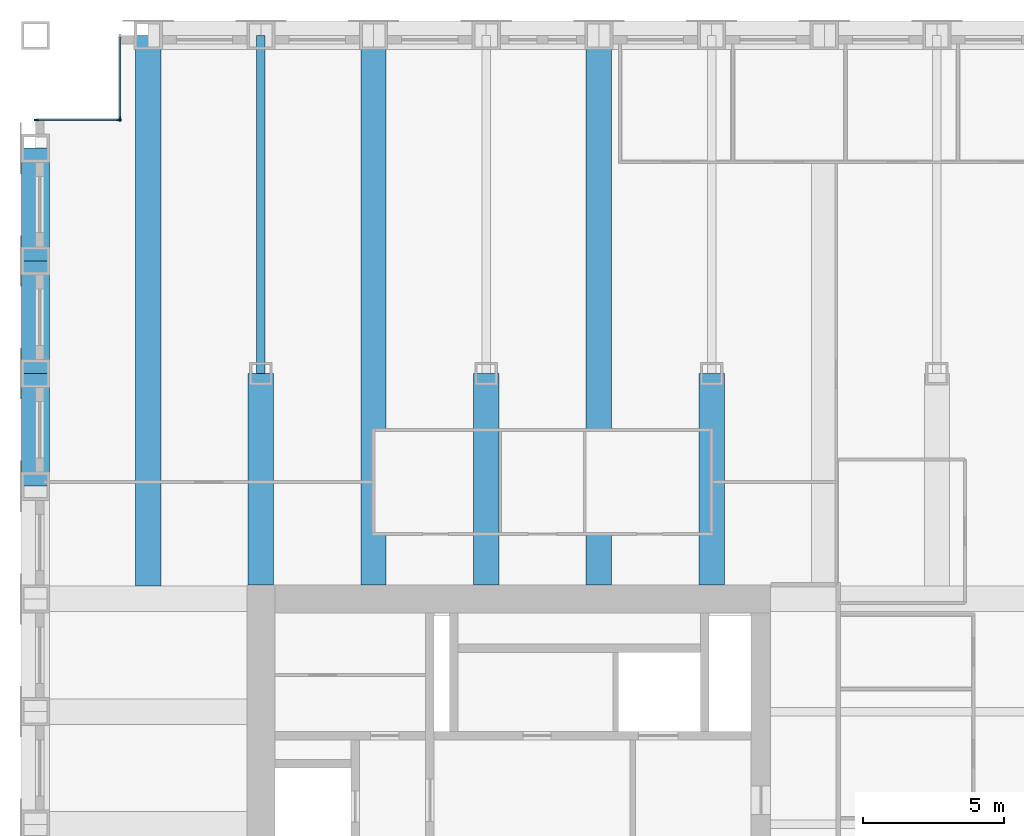
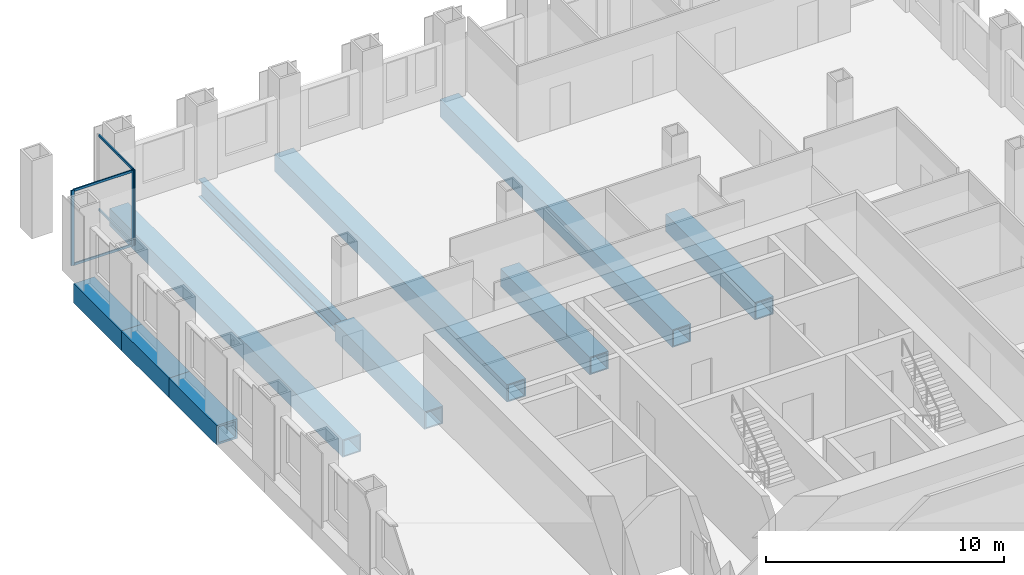
# One storey, part 5 of 13: 10 beams, 7 members, 2 elements without a shape of their own.
"""IFC4 building model written with IfcOpenShell, lengths in metres."""

from ifc_helpers import new_model, si_unit, direction, frame, origin, origin_2d, place, context, subcontext, project, spatial, rectangle, hollow_rectangle, i_section, extrude, material, material_profile, profile_set, type_object, element, aggregate, save


model = new_model("IFC4")

# Units and contexts
model_context = context("Model", 3, precision=1e-05, world=origin(), true_north=direction((0.0, 1.0)))
body_context = subcontext(model_context, "Body", "Model", "MODEL_VIEW")
ifc_project = project(units=[si_unit("LENGTHUNIT", "METRE"), si_unit("AREAUNIT", "SQUARE_METRE"), si_unit("VOLUMEUNIT", "CUBIC_METRE"), si_unit("PLANEANGLEUNIT", "RADIAN"), si_unit("MASSUNIT", "GRAM", prefix="KILO")], contexts=[model_context])

# Site, building, storey
site_placement = place(None, origin())
site = spatial("IfcSite", under=ifc_project, at=site_placement, CompositionType="ELEMENT")
building_placement = place(site_placement, origin())
building = spatial("IfcBuilding", under=site, at=building_placement, Name="Rimbunsela Tower", CompositionType="ELEMENT")
storey_placement = place(building_placement, frame((0.0, 0.0, 214.199951171875)))
storey = spatial("IfcBuildingStorey", under=building, at=storey_placement, Name="L51", CompositionType="ELEMENT", Elevation=214.199951171875)

# Beams
ifc_material_1 = material(Name="Steel BJ 55 (fy 410 MPa)", Category="steel")
ifc_material_profile_1 = material_profile(ifc_material_1, hollow_rectangle(XDim=1.0, YDim=1.0, WallThickness=0.10009765625, at=origin_2d()), Name="BOX 1000x1000x100")
ifc_profile_set_1 = profile_set([ifc_material_profile_1], Name="Steel BJ 55 (fy 410 MPa)")
beam_type_1 = type_object("IfcBeamType", Name="Beam BOX 1000x1000x100", PredefinedType="BEAM", material=ifc_profile_set_1)
for number, where, z_axis, x_axis, name in (
    (1, (10.0, 40.0, -0.64990234375), (0.0, 1.0, 0.0), (-1.0, 0.0, 0.0), "Beam B3 L51"),
    (2, (10.0, 44.0, -0.64990234375), (0.0, 1.0, 0.0), (-1.0, 0.0, 0.0), "Beam B3 L51"),
    (3, (10.0, 48.0, -0.64990234375), (0.0, 1.0, 0.0), (-1.0, 0.0, 0.0), "Beam B3 L51"),
):
    element("IfcBeam", number, at=place(storey_placement, frame(where, z_axis=z_axis, x_axis=x_axis)), inside=storey, type_object=beam_type_1, Name=name, PredefinedType="BEAM", context=body_context, shape_type="SweptSolid", body=[
        extrude(hollow_rectangle(XDim=1.0, YDim=1.0, WallThickness=0.10009765625, at=origin_2d()), origin(), (0.0, 0.0, 1.0), 4.0),
    ])
ifc_material_2 = material(Name="Steel BJ 55 (fy 410 MPa)", Category="steel")
ifc_material_profile_2 = material_profile(ifc_material_2, hollow_rectangle(XDim=0.89990234375, YDim=0.89990234375, WallThickness=0.06005859375, at=origin_2d()), Name="BOX 900x900x60")
ifc_profile_set_2 = profile_set([ifc_material_profile_2], Name="Steel BJ 55 (fy 410 MPa)")
beam_type_2 = type_object("IfcBeamType", Name="Beam BOX 900x900x60", PredefinedType="BEAM", material=ifc_profile_set_2)
beam_1_placement = place(storey_placement, frame((14.0, 36.449951171875, -0.599853515625), z_axis=(0.0, 1.0, 0.0), x_axis=(-1.0, 0.0, 0.0)))
element("IfcBeam", 4, at=beam_1_placement, inside=storey, type_object=beam_type_2, Name="Beam B1 L51", PredefinedType="BEAM", context=body_context, shape_type="SweptSolid", body=[
    extrude(hollow_rectangle(XDim=0.89990234375, YDim=0.89990234375, WallThickness=0.06005859375, at=origin_2d()), origin(), (0.0, 0.0, 1.0), 19.550048828125),
])
beam_2_placement = place(storey_placement, frame((18.0, 36.5, -0.599853515625), z_axis=(0.0, 1.0, 0.0), x_axis=(-1.0, 0.0, 0.0)))
element("IfcBeam", 5, at=beam_2_placement, inside=storey, type_object=beam_type_2, Name="Beam B1 L51", PredefinedType="BEAM", context=body_context, shape_type="SweptSolid", body=[
    extrude(hollow_rectangle(XDim=0.89990234375, YDim=0.89990234375, WallThickness=0.06005859375, at=origin_2d()), origin(), (0.0, 0.0, 1.0), 7.5),
])
beam_3_placement = place(storey_placement, frame((22.0, 36.5, -0.599853515625), z_axis=(0.0, 1.0, 0.0), x_axis=(-1.0, 0.0, 0.0)))
element("IfcBeam", 6, at=beam_3_placement, inside=storey, type_object=beam_type_2, Name="Beam B1 L51", PredefinedType="BEAM", context=body_context, shape_type="SweptSolid", body=[
    extrude(hollow_rectangle(XDim=0.89990234375, YDim=0.89990234375, WallThickness=0.06005859375, at=origin_2d()), origin(), (0.0, 0.0, 1.0), 19.5),
])
beam_4_placement = place(storey_placement, frame((26.0, 36.5, -0.599853515625), z_axis=(0.0, 1.0, 0.0), x_axis=(-1.0, 0.0, 0.0)))
element("IfcBeam", 7, at=beam_4_placement, inside=storey, type_object=beam_type_2, Name="Beam B1 L51", PredefinedType="BEAM", context=body_context, shape_type="SweptSolid", body=[
    extrude(hollow_rectangle(XDim=0.89990234375, YDim=0.89990234375, WallThickness=0.06005859375, at=origin_2d()), origin(), (0.0, 0.0, 1.0), 7.5),
])
beam_5_placement = place(storey_placement, frame((30.0, 36.5, -0.599853515625), z_axis=(0.0, 1.0, 0.0), x_axis=(-1.0, 0.0, 0.0)))
element("IfcBeam", 8, at=beam_5_placement, inside=storey, type_object=beam_type_2, Name="Beam B1 L51", PredefinedType="BEAM", context=body_context, shape_type="SweptSolid", body=[
    extrude(hollow_rectangle(XDim=0.89990234375, YDim=0.89990234375, WallThickness=0.06005859375, at=origin_2d()), origin(), (0.0, 0.0, 1.0), 19.5),
])
beam_6_placement = place(storey_placement, frame((34.0, 36.5, -0.599853515625), z_axis=(0.0, 1.0, 0.0), x_axis=(-1.0, 0.0, 0.0)))
element("IfcBeam", 9, at=beam_6_placement, inside=storey, type_object=beam_type_2, Name="Beam B1 L51", PredefinedType="BEAM", context=body_context, shape_type="SweptSolid", body=[
    extrude(hollow_rectangle(XDim=0.89990234375, YDim=0.89990234375, WallThickness=0.06005859375, at=origin_2d()), origin(), (0.0, 0.0, 1.0), 7.5),
])
ifc_material_3 = material(Name="Steel BJ 55 (fy 410 MPa)", Category="steel")
ifc_material_profile_3 = material_profile(ifc_material_3, i_section(OverallWidth=0.300048828125, OverallDepth=0.89990234375, WebThickness=0.01611328125, FlangeThickness=0.028076171875, FilletRadius=0.028076171875, at=origin_2d()), Name="H 900x300x16x28")
ifc_profile_set_3 = profile_set([ifc_material_profile_3], Name="Steel BJ 55 (fy 410 MPa)")
beam_type_3 = type_object("IfcBeamType", Name="Beam H 900x300x16x28", PredefinedType="BEAM", material=ifc_profile_set_3)
beam_7_placement = place(storey_placement, frame((18.0, 44.0, -0.599853515625), z_axis=(0.0, 1.0, 0.0), x_axis=(-1.0, 0.0, 0.0)))
element("IfcBeam", 10, at=beam_7_placement, inside=storey, type_object=beam_type_3, Name="Beam B2 L51", PredefinedType="BEAM", context=body_context, shape_type="SweptSolid", body=[
    extrude(i_section(OverallWidth=0.300048828125, OverallDepth=0.89990234375, WebThickness=0.01611328125, FlangeThickness=0.028076171875, FilletRadius=0.028076171875, at=origin_2d()), origin(), (0.0, 0.0, 1.0), 12.0),
])

# Curtain wall, member
ifc_material_4 = material(Name="Aluminium curtain wall", Category="aluminium")
curtain_wall_type = type_object("IfcCurtainWallType", Name="Corner glazing", PredefinedType="USERDEFINED", material=ifc_material_4)
curtain_wall_1_placement = place(storey_placement, origin())
curtain_wall_1 = element("IfcCurtainWall", 11, at=curtain_wall_1_placement, inside=storey, type_object=curtain_wall_type, Name="Corner glazing L51", ObjectType="CORNER GLAZING", PredefinedType="USERDEFINED")
ifc_material_5 = material(Name="Aluminium mullion", Category="aluminium")
ifc_material_profile_4 = material_profile(ifc_material_5, rectangle(XDim=0.06005859375, YDim=0.159912109375, at=origin_2d()), Name="Mullion 60x160")
ifc_profile_set_4 = profile_set([ifc_material_profile_4], Name="Aluminium mullion")
member_type_1 = type_object("IfcMemberType", Name="Curtain wall mullion 60x160", PredefinedType="MULLION", material=ifc_profile_set_4)
member_1_placement = place(storey_placement, frame((13.0, 53.030029296875, 0.0), z_axis=(0.0, 0.0, 1.0), x_axis=(1.0, 0.0, 0.0)))
member_1 = element("IfcMember", 12, at=member_1_placement, type_object=member_type_1, Name="CW5 mullion 2", PredefinedType="MULLION", context=body_context, shape_type="SweptSolid", body=[
    extrude(rectangle(XDim=0.06005859375, YDim=0.159912109375, at=origin_2d()), origin(), (0.0, 0.0, 1.0), 3.85009765625),
])

# Curtain wall, members
curtain_wall_2_placement = place(storey_placement, origin())
curtain_wall_2 = element("IfcCurtainWall", 13, at=curtain_wall_2_placement, inside=storey, type_object=curtain_wall_type, Name="Corner glazing L51", ObjectType="CORNER GLAZING", PredefinedType="USERDEFINED")
member_2_placement = place(storey_placement, frame((12.969970703125, 53.0, 0.0), z_axis=(0.0, 0.0, 1.0), x_axis=(0.0, -1.0, 0.0)))
member_2 = element("IfcMember", 14, at=member_2_placement, type_object=member_type_1, Name="CW5 mullion 1", PredefinedType="MULLION", context=body_context, shape_type="SweptSolid", body=[
    extrude(rectangle(XDim=0.06005859375, YDim=0.159912109375, at=origin_2d()), origin(), (0.0, 0.0, 1.0), 3.85009765625),
])
member_3_placement = place(storey_placement, frame((10.030029296875, 53.0, 0.0), z_axis=(0.0, 0.0, 1.0), x_axis=(0.0, -1.0, 0.0)))
member_3 = element("IfcMember", 15, at=member_3_placement, type_object=member_type_1, Name="CW5 mullion 2", PredefinedType="MULLION", context=body_context, shape_type="SweptSolid", body=[
    extrude(rectangle(XDim=0.06005859375, YDim=0.159912109375, at=origin_2d()), origin(), (0.0, 0.0, 1.0), 3.85009765625),
])

# Member
ifc_material_6 = material(Name="Aluminium transom", Category="aluminium")
ifc_material_profile_5 = material_profile(ifc_material_6, rectangle(XDim=0.06005859375, YDim=0.1201171875, at=origin_2d()), Name="Transom 60x120")
ifc_profile_set_5 = profile_set([ifc_material_profile_5], Name="Aluminium transom")
member_type_2 = type_object("IfcMemberType", Name="Curtain wall transom 60x120", PredefinedType="USERDEFINED", material=ifc_profile_set_5)
member_4_placement = place(storey_placement, frame((13.0, 55.93994140625, 0.030029296875), z_axis=(0.0, -1.0, 0.0), x_axis=(1.0, 0.0, 0.0)))
member_4 = element("IfcMember", 16, at=member_4_placement, type_object=member_type_2, Name="CW5 transom 1.1", ObjectType="TRANSOM", PredefinedType="USERDEFINED", context=body_context, shape_type="SweptSolid", body=[
    extrude(rectangle(XDim=0.06005859375, YDim=0.1201171875, at=origin_2d()), origin(), (0.0, 0.0, 1.0), 2.8798828125),
])

member_5_placement = place(storey_placement, frame((13.0, 55.93994140625, 3.820068359375), z_axis=(0.0, -1.0, 0.0), x_axis=(1.0, 0.0, 0.0)))
member_5 = element("IfcMember", 17, at=member_5_placement, type_object=member_type_2, Name="CW5 transom 1.2", ObjectType="TRANSOM", PredefinedType="USERDEFINED", context=body_context, shape_type="SweptSolid", body=[
    extrude(rectangle(XDim=0.06005859375, YDim=0.1201171875, at=origin_2d()), origin(), (0.0, 0.0, 1.0), 2.8798828125),
])

aggregate(curtain_wall_1, [member_1, member_4, member_5])

member_6_placement = place(storey_placement, frame((12.93994140625, 53.0, 0.030029296875), z_axis=(-1.0, 0.0, 0.0), x_axis=(0.0, -1.0, 0.0)))
member_6 = element("IfcMember", 18, at=member_6_placement, type_object=member_type_2, Name="CW5 transom 1.1", ObjectType="TRANSOM", PredefinedType="USERDEFINED", context=body_context, shape_type="SweptSolid", body=[
    extrude(rectangle(XDim=0.06005859375, YDim=0.1201171875, at=origin_2d()), origin(), (0.0, 0.0, 1.0), 2.8798828125),
])

member_7_placement = place(storey_placement, frame((12.93994140625, 53.0, 3.820068359375), z_axis=(-1.0, 0.0, 0.0), x_axis=(0.0, -1.0, 0.0)))
member_7 = element("IfcMember", 19, at=member_7_placement, type_object=member_type_2, Name="CW5 transom 1.2", ObjectType="TRANSOM", PredefinedType="USERDEFINED", context=body_context, shape_type="SweptSolid", body=[
    extrude(rectangle(XDim=0.06005859375, YDim=0.1201171875, at=origin_2d()), origin(), (0.0, 0.0, 1.0), 2.8798828125),
])

aggregate(curtain_wall_2, [member_2, member_3, member_6, member_7])

save(model, "model.ifc")
